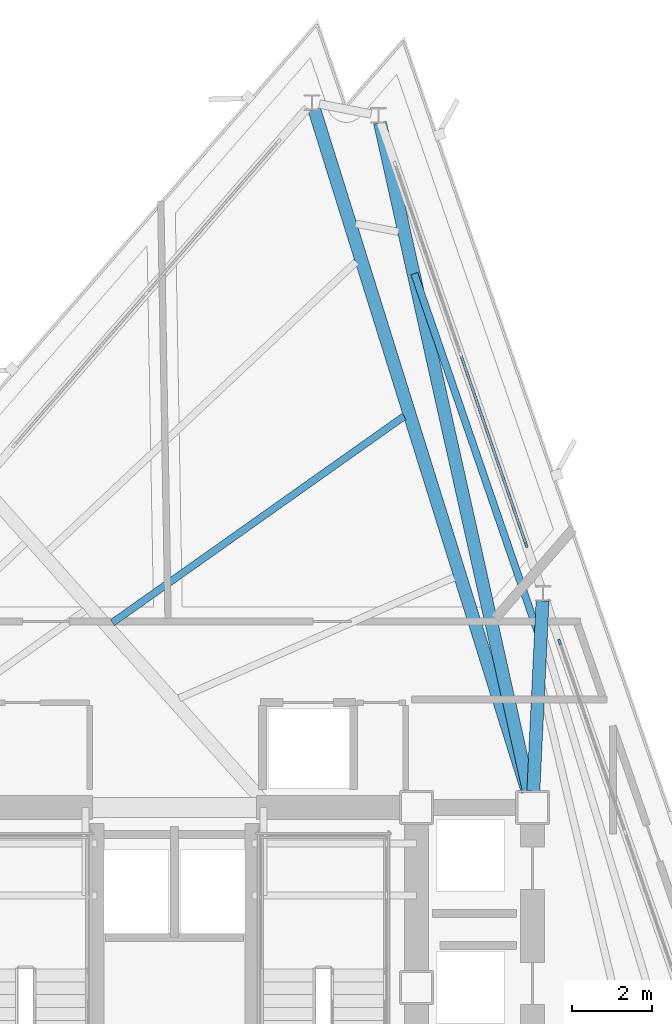
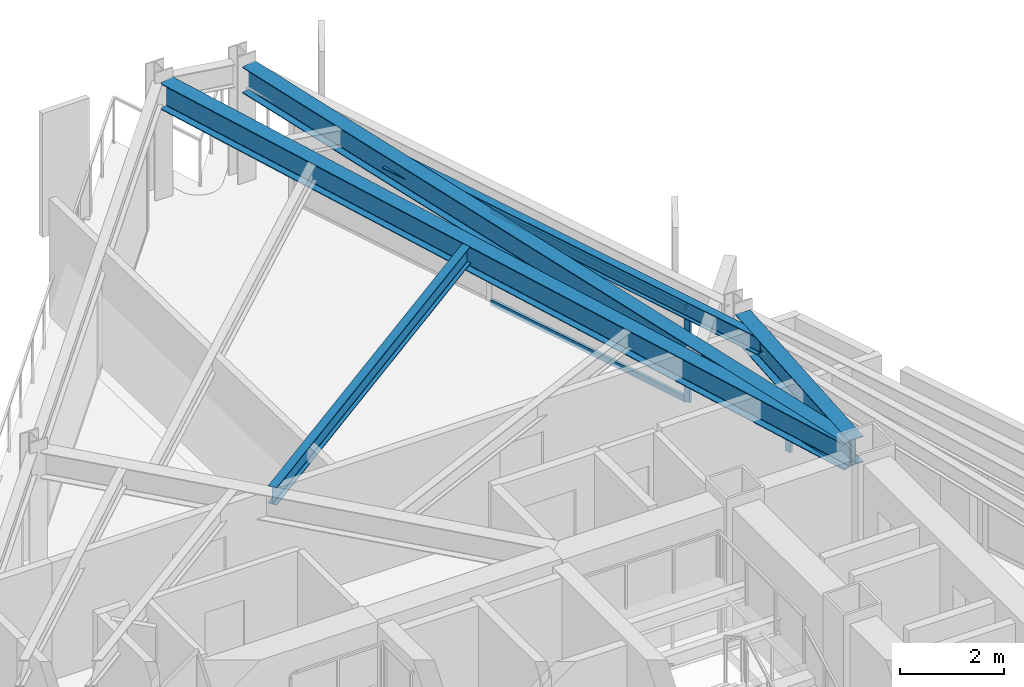
# One storey, part 5 of 13: 5 beams, 4 members, 2 elements without a shape of their own.
"""IFC4 building model written with IfcOpenShell, lengths in metres."""

from ifc_helpers import new_model, si_unit, direction, frame, origin, origin_2d, place, context, subcontext, project, spatial, rectangle, i_section, extrude, material, layer, layer_set, material_profile, profile_set, type_object, element, aggregate, save


model = new_model("IFC4")

# Units and contexts
model_context = context("Model", 3, precision=1e-05, world=origin(), true_north=direction((0.0, 1.0)))
body_context = subcontext(model_context, "Body", "Model", "MODEL_VIEW")
ifc_project = project(units=[si_unit("LENGTHUNIT", "METRE"), si_unit("AREAUNIT", "SQUARE_METRE"), si_unit("VOLUMEUNIT", "CUBIC_METRE"), si_unit("PLANEANGLEUNIT", "RADIAN"), si_unit("MASSUNIT", "GRAM", prefix="KILO")], contexts=[model_context])

# Site, building, storey
site_placement = place(None, origin())
site = spatial("IfcSite", under=ifc_project, at=site_placement, CompositionType="ELEMENT")
building_placement = place(site_placement, origin())
building = spatial("IfcBuilding", under=site, at=building_placement, Name="Rocaltana Carrier Exchange", CompositionType="ELEMENT")
storey_placement = place(building_placement, frame((0.0, 0.0, 159.360107421875)))
storey = spatial("IfcBuildingStorey", under=building, at=storey_placement, Name="L50", CompositionType="ELEMENT", Elevation=159.360107421875)

# Curtain wall, member
ifc_material_1 = material(Name="Aluminium 6063-T6", Category="aluminium")
ifc_layer = layer(ifc_material_1, 0.135009765625)
ifc_layer_set = layer_set([ifc_layer], Name="Aluminium 6063-T6")
curtain_wall_type = type_object("IfcCurtainWallType", Name="Upper-Mid Acoustic Curtain Wall CW-04", PredefinedType="NOTDEFINED", material=ifc_layer_set)
curtain_wall_1_placement = place(storey_placement, origin())
curtain_wall_1 = element("IfcCurtainWall", 1, at=curtain_wall_1_placement, inside=storey, type_object=curtain_wall_type, Name="L50 CW-04 Run CW-L50-F1S2", PredefinedType="NOTDEFINED")
ifc_material_2 = material(Name="Aluminium 6063-T6", Category="aluminium")
ifc_material_profile_1 = material_profile(ifc_material_2, rectangle(XDim=0.06494140625, YDim=0.135009765625, at=origin_2d()), Name="AL-65X135")
ifc_profile_set_1 = profile_set([ifc_material_profile_1], Name="Aluminium 6063-T6")
member_type_1 = type_object("IfcMemberType", Name="CW-04 Mullion AL-65X135", PredefinedType="MULLION", material=ifc_profile_set_1)
member_1_placement = place(storey_placement, frame((9.62548828125, 8.638671875, 0.0), z_axis=(0.0, 0.0, 1.0), x_axis=(-0.945520754562, -0.32556182622, 0.0)))
member_1 = element("IfcMember", 2, at=member_1_placement, type_object=member_type_1, Name="CW-04 mullion 3", PredefinedType="MULLION", context=body_context, shape_type="SweptSolid", body=[
    extrude(rectangle(XDim=0.06494140625, YDim=0.135009765625, at=origin_2d()), origin(), (0.0, 0.0, 1.0), 2.2177734375),
])
aggregate(curtain_wall_1, [member_1])

# Curtain wall, members
curtain_wall_2_placement = place(storey_placement, origin())
curtain_wall_2 = element("IfcCurtainWall", 3, at=curtain_wall_2_placement, inside=storey, type_object=curtain_wall_type, Name="L50 CW-04 Run CW-L50-F1S3", PredefinedType="NOTDEFINED")
member_2_placement = place(storey_placement, frame((8.79052734375, 11.063720703125, 0.0), z_axis=(0.0, 0.0, 1.0), x_axis=(-0.945521800517, -0.325558788464, 0.0)))
member_2 = element("IfcMember", 4, at=member_2_placement, type_object=member_type_1, Name="CW-04 mullion 1", PredefinedType="MULLION", context=body_context, shape_type="SweptSolid", body=[
    extrude(rectangle(XDim=0.06494140625, YDim=0.135009765625, at=origin_2d()), origin(), (0.0, 0.0, 1.0), 2.2177734375),
])
ifc_material_3 = material(Name="Aluminium 6063-T6", Category="aluminium")
ifc_material_profile_2 = material_profile(ifc_material_3, rectangle(XDim=0.06494140625, YDim=0.135009765625, at=origin_2d()), Name="AL-65X135")
ifc_profile_set_2 = profile_set([ifc_material_profile_2], Name="Aluminium 6063-T6")
member_type_2 = type_object("IfcMemberType", Name="CW-04 Transom AL-65X135", PredefinedType="USERDEFINED", material=ifc_profile_set_2)
member_3_placement = place(storey_placement, frame((8.77978515625, 11.094482421875, 0.032470703125), z_axis=(-0.325542462737, 0.945527421578, 0.0), x_axis=(-0.945527421578, -0.325542462737, 0.0)))
member_3 = element("IfcMember", 5, at=member_3_placement, type_object=member_type_2, Name="CW-04 transom 1.1", ObjectType="TRANSOM", PredefinedType="USERDEFINED", context=body_context, shape_type="SweptSolid", body=[
    extrude(rectangle(XDim=0.06494140625, YDim=0.135009765625, at=origin_2d()), origin(), (0.0, 0.0, 1.0), 4.96923828125),
])
member_4_placement = place(storey_placement, frame((8.77978515625, 11.094482421875, 2.185302734375), z_axis=(-0.325542462737, 0.945527421578, 0.0), x_axis=(-0.945527421578, -0.325542462737, 0.0)))
member_4 = element("IfcMember", 6, at=member_4_placement, type_object=member_type_2, Name="CW-04 transom 1.2", ObjectType="TRANSOM", PredefinedType="USERDEFINED", context=body_context, shape_type="SweptSolid", body=[
    extrude(rectangle(XDim=0.06494140625, YDim=0.135009765625, at=origin_2d()), origin(), (0.0, 0.0, 1.0), 4.96923828125),
])
aggregate(curtain_wall_2, [member_2, member_3, member_4])

# Beams
ifc_material_4 = material(Name="Steel S355", Category="steel")
ifc_material_profile_3 = material_profile(ifc_material_4, i_section(OverallWidth=0.179931640625, OverallDepth=0.4130859375, WebThickness=0.009765625, FlangeThickness=0.01611328125, FilletRadius=0.012939453125, at=origin_2d()), Name="W16X50")
ifc_profile_set_3 = profile_set([ifc_material_profile_3], Name="Steel S355")
beam_type_1 = type_object("IfcBeamType", Name="Floor Joist W16X50", PredefinedType="JOIST", material=ifc_profile_set_3)
beam_1_placement = place(storey_placement, frame((9.1005859375, 8.8212890625, 2.581298828125), z_axis=(-0.325576687482, 0.9455156374, 0.0), x_axis=(-0.9455156374, -0.325576687482, 0.0)))
element("IfcBeam", 7, at=beam_1_placement, inside=storey, type_object=beam_type_1, Name="FJ-L50-03-3", PredefinedType="JOIST", context=body_context, shape_type="SweptSolid", body=[
    extrude(i_section(OverallWidth=0.179931640625, OverallDepth=0.4130859375, WebThickness=0.009765625, FlangeThickness=0.01611328125, FilletRadius=0.012939453125, at=origin_2d()), origin(), (0.0, 0.0, 1.0), 9.5419921875),
])
beam_2_placement = place(storey_placement, frame((5.737548828125, 14.27587890625, 2.581298828125), z_axis=(-0.816285489074, -0.577648682443, 0.0), x_axis=(0.577648682443, -0.816285489074, 0.0)))
element("IfcBeam", 8, at=beam_2_placement, inside=storey, type_object=beam_type_1, Name="FJ-L50-05-2", PredefinedType="JOIST", context=body_context, shape_type="SweptSolid", body=[
    extrude(i_section(OverallWidth=0.179931640625, OverallDepth=0.4130859375, WebThickness=0.009765625, FlangeThickness=0.01611328125, FilletRadius=0.012939453125, at=origin_2d()), origin(), (0.0, 0.0, 1.0), 8.931396484375),
])
ifc_material_5 = material(Name="Steel S355", Category="steel")
ifc_material_profile_4 = material_profile(ifc_material_5, i_section(OverallWidth=0.323974609375, OverallDepth=0.611083984375, WebThickness=0.0126953125, FlangeThickness=0.01904296875, FilletRadius=0.01611328125, at=origin_2d()), Name="W24X104")
ifc_profile_set_4 = profile_set([ifc_material_profile_4], Name="Steel S355")
beam_type_2 = type_object("IfcBeamType", Name="Radial Girder W24X104", PredefinedType="BEAM", material=ifc_profile_set_4)
beam_3_placement = place(storey_placement, frame((8.97021484375, 4.91650390625, 2.482421875), z_axis=(0.048160355741, 0.998839616823, 0.0), x_axis=(-0.998839616823, 0.048160355741, 0.0)))
element("IfcBeam", 9, at=beam_3_placement, inside=storey, type_object=beam_type_2, Name="RG-L50-03", PredefinedType="BEAM", context=body_context, shape_type="SweptSolid", body=[
    extrude(i_section(OverallWidth=0.323974609375, OverallDepth=0.611083984375, WebThickness=0.0126953125, FlangeThickness=0.01904296875, FilletRadius=0.01611328125, at=origin_2d()), origin(), (0.0, 0.0, 1.0), 4.755126953125),
])
beam_4_placement = place(storey_placement, frame((8.859375, 4.906982421875, 2.482421875), z_axis=(-0.21753898555, 0.976051632736, 0.0), x_axis=(-0.976051632736, -0.21753898555, 0.0)))
element("IfcBeam", 10, at=beam_4_placement, inside=storey, type_object=beam_type_2, Name="RG-L50-04", PredefinedType="BEAM", context=body_context, shape_type="SweptSolid", body=[
    extrude(i_section(OverallWidth=0.323974609375, OverallDepth=0.611083984375, WebThickness=0.0126953125, FlangeThickness=0.01904296875, FilletRadius=0.01611328125, at=origin_2d()), origin(), (0.0, 0.0, 1.0), 17.1181640625),
])
beam_5_placement = place(storey_placement, frame((8.825439453125, 4.89794921875, 2.482421875), z_axis=(-0.298436914473, 0.954429362541, 0.0), x_axis=(-0.954429362541, -0.298436914473, 0.0)))
element("IfcBeam", 11, at=beam_5_placement, inside=storey, type_object=beam_type_2, Name="RG-L50-05", PredefinedType="BEAM", context=body_context, shape_type="SweptSolid", body=[
    extrude(i_section(OverallWidth=0.323974609375, OverallDepth=0.611083984375, WebThickness=0.0126953125, FlangeThickness=0.01904296875, FilletRadius=0.01611328125, at=origin_2d()), origin(), (0.0, 0.0, 1.0), 17.856689453125),
])

save(model, "model.ifc")
